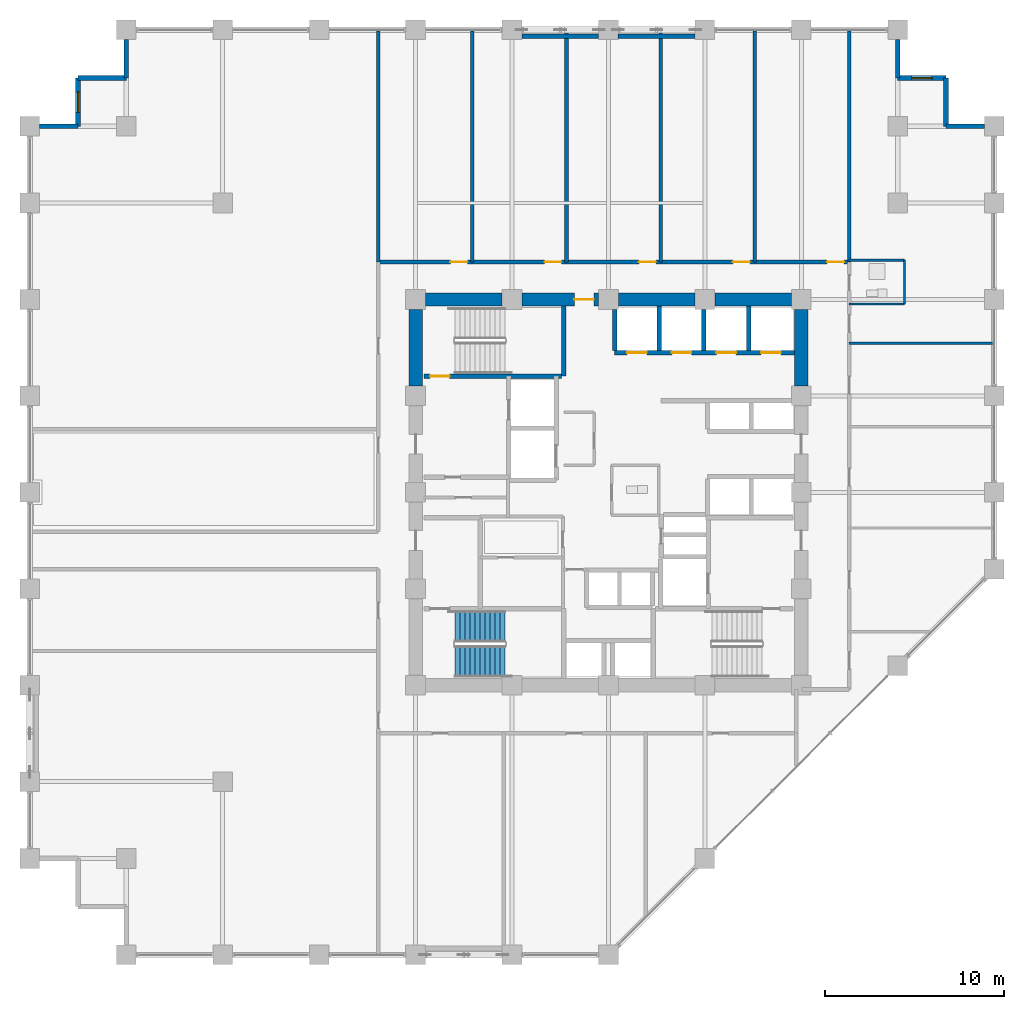
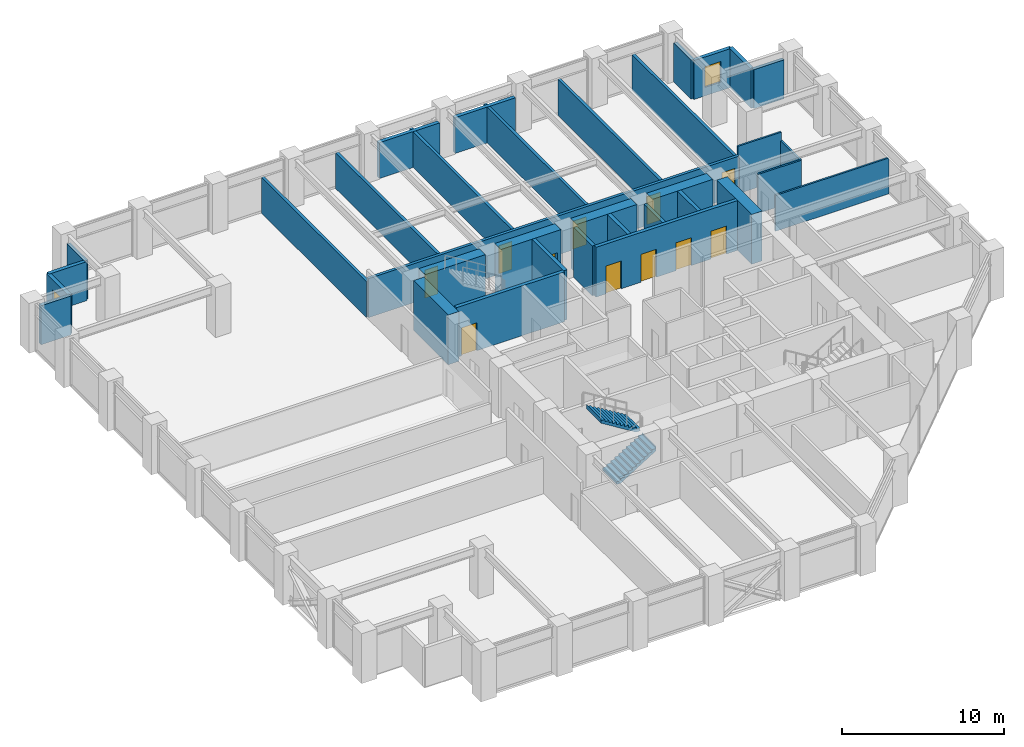
# One storey, part 21 of 25: 34 walls, 11 doors, 2 stair flights, 2 windows, 13 openings, 1 element without a shape of its own.
"""IFC4 building model written with IfcOpenShell, lengths in metres."""

from ifc_helpers import new_model, si_unit, direction, frame, frame_2d, origin, place, context, subcontext, project, spatial, polyline, rectangle, outline, extrude, material, layer, layer_set, type_object, element, fill, aggregate, save


model = new_model("IFC4")

# Units and contexts
model_context = context("Model", 3, precision=1e-05, world=origin(), true_north=direction((0.0, 1.0)))
body_context = subcontext(model_context, "Body", "Model", "MODEL_VIEW")
ifc_project = project(units=[si_unit("LENGTHUNIT", "METRE"), si_unit("AREAUNIT", "SQUARE_METRE"), si_unit("VOLUMEUNIT", "CUBIC_METRE"), si_unit("PLANEANGLEUNIT", "RADIAN"), si_unit("MASSUNIT", "GRAM", prefix="KILO")], contexts=[model_context])

# Site, building, storey
site_placement = place(None, origin())
site = spatial("IfcSite", under=ifc_project, at=site_placement, CompositionType="ELEMENT")
building_placement = place(site_placement, origin())
building = spatial("IfcBuilding", under=site, at=building_placement, Name="Surkhivell Harbour Commons", CompositionType="ELEMENT")
storey_placement = place(building_placement, frame((0.0, 0.0, 124.5)))
storey = spatial("IfcBuildingStorey", under=building, at=storey_placement, Name="L32", CompositionType="ELEMENT", Elevation=124.5)

# Wall
ifc_material_1 = material(Name="Concrete C60/75", Category="concrete")
ifc_layer_1 = layer(ifc_material_1, 0.75)
ifc_layer_set_1 = layer_set([ifc_layer_1], Name="Concrete C60/75")
wall_type_1 = type_object("IfcWallType", Name="WAL-CORE-750", PredefinedType="SHEAR", material=ifc_layer_set_1)
wall_1_placement = place(storey_placement, frame((-10.239990234375, 10.800048828125, 0.0), z_axis=(0.0, 0.0, 1.0), x_axis=(1.0, 0.0, 0.0)))
element("IfcWall", 1, at=wall_1_placement, inside=storey, type_object=wall_type_1, Name="L32 Core Shear Wall North 1", PredefinedType="SHEAR", context=body_context, shape_type="SweptSolid", body=[
    extrude(rectangle(XDim=4.280029296875, YDim=0.75, at=frame_2d((2.14013671875, 0.0))), origin(), (0.0, 0.0, 1.0), 3.75),
])

# Wall, opening, door
wall_2_placement = place(storey_placement, frame((-4.840087890625, 10.800048828125, 0.0), z_axis=(0.0, 0.0, 1.0), x_axis=(1.0, 0.0, 0.0)))
wall_2 = element("IfcWall", 2, at=wall_2_placement, inside=storey, type_object=wall_type_1, Name="L32 Core Shear Wall North 2", PredefinedType="SHEAR", context=body_context, shape_type="SweptSolid", body=[
    extrude(rectangle(XDim=4.280029296875, YDim=0.75, at=frame_2d((2.14013671875, 0.0))), origin(), (0.0, 0.0, 1.0), 3.75),
])
opening_1_placement = place(wall_2_placement, frame((2.929931640625, 0.0, 0.0)))
opening_1 = element("IfcOpeningElement", 3, at=opening_1_placement, cuts=wall_2, Name="Opening ID-2", PredefinedType="OPENING", context=body_context, shape_type="SweptSolid", body=[
    extrude(rectangle(XDim=1.10009765625, YDim=2.10009765625, at=frame_2d((0.550048828125, 1.050048828125))), frame((0.0, 0.385009765625, 0.0), z_axis=(0.0, -1.0, 0.0), x_axis=(1.0, 0.0, 0.0)), (0.0, 0.0, 1.0), 0.77001953125),
])
ifc_material_2 = material(Name="Hardwood-veneered fire-rated door leaf", Category="wood")
door_type_1 = type_object("IfcDoorType", Name="DOR-FD60-1100", OperationType="NOTDEFINED", PredefinedType="DOOR", material=ifc_material_2)
door_1_placement = place(opening_1_placement, origin())
door_1 = element("IfcDoor", 4, at=door_1_placement, inside=storey, type_object=door_type_1, Name="L32 Central Core Lift Hall North Corridor Door", OperationType="SINGLE_SWING_LEFT", OverallHeight=2.10009765625, OverallWidth=1.10009765625, PredefinedType="DOOR", context=body_context, shape_type="SweptSolid", body=[
    extrude(rectangle(XDim=1.10009765625, YDim=2.10009765625, at=frame_2d((0.550048828125, 1.050048828125))), frame((0.0, 0.02490234375, 0.0), z_axis=(0.0, -1.0, 0.0), x_axis=(1.0, 0.0, 0.0)), (0.0, 0.0, 1.0), 0.050048828125),
])
fill(opening_1, door_1)

# Walls
for number, where, z_axis, x_axis, name in (
    (5, (0.56005859375, 10.800048828125, 0.0), (0.0, 0.0, 1.0), (1.0, 0.0, 0.0), "L32 Core Shear Wall North 3"),
    (6, (5.9599609375, 10.800048828125, 0.0), (0.0, 0.0, 1.0), (1.0, 0.0, 0.0), "L32 Core Shear Wall North 4"),
    (7, (-10.800048828125, 5.9599609375, 0.0), (0.0, 0.0, 1.0), (0.0, 1.0, 0.0), "L32 Core Shear Wall West 4"),
    (8, (10.800048828125, 5.9599609375, 0.0), (0.0, 0.0, 1.0), (0.0, 1.0, 0.0), "L32 Core Shear Wall East 4"),
):
    element("IfcWall", number, at=place(storey_placement, frame(where, z_axis=z_axis, x_axis=x_axis)), inside=storey, type_object=wall_type_1, Name=name, PredefinedType="SHEAR", context=body_context, shape_type="SweptSolid", body=[
        extrude(rectangle(XDim=4.280029296875, YDim=0.75, at=frame_2d((2.14013671875, 0.0))), origin(), (0.0, 0.0, 1.0), 3.75),
    ])
ifc_material_3 = material(Name="Pale-metal insulated precast concrete C45/55", Category="concrete")
ifc_layer_2 = layer(ifc_material_3, 0.260009765625)
ifc_layer_set_2 = layer_set([ifc_layer_2], Name="Pale-metal insulated precast concrete C45/55")
wall_type_2 = type_object("IfcWallType", Name="WAL-EXT-MTL260", PredefinedType="STANDARD", material=ifc_layer_set_2)
wall_3_placement = place(storey_placement, frame((21.052001953125, 20.5, 0.0), z_axis=(0.0, 0.0, 1.0), x_axis=(-1.0, 0.0, 0.0)))
element("IfcWall", 9, at=wall_3_placement, inside=storey, type_object=wall_type_2, Name="L32 Serrated Corner Facade Wall 03", PredefinedType="STANDARD", context=body_context, shape_type="SweptSolid", body=[
    extrude(rectangle(XDim=2.152099609375, YDim=0.260009765625, at=frame_2d((1.076171875, 0.0))), origin(), (0.0, 0.0, 1.0), 2.93310546875),
])
wall_4_placement = place(storey_placement, frame((18.89990234375, 20.5, 0.0), z_axis=(0.0, 0.0, 1.0), x_axis=(0.0, 1.0, 0.0)))
element("IfcWall", 10, at=wall_4_placement, inside=storey, type_object=wall_type_2, Name="L32 Serrated Corner Facade Wall 04", PredefinedType="STANDARD", context=body_context, shape_type="SweptSolid", body=[
    extrude(rectangle(XDim=2.699951171875, YDim=0.260009765625, at=frame_2d((1.35009765625, 0.0))), origin(), (0.0, 0.0, 1.0), 2.93310546875),
])

# Wall, opening, window
wall_5_placement = place(storey_placement, frame((18.89990234375, 23.199951171875, 0.0), z_axis=(0.0, 0.0, 1.0), x_axis=(-1.0, 0.0, 0.0)))
wall_5 = element("IfcWall", 11, at=wall_5_placement, inside=storey, type_object=wall_type_2, Name="L32 Serrated Corner Facade Wall 05", PredefinedType="STANDARD", context=body_context, shape_type="SweptSolid", body=[
    extrude(rectangle(XDim=2.699951171875, YDim=0.260009765625, at=frame_2d((1.35009765625, 0.0))), origin(), (0.0, 0.0, 1.0), 2.93310546875),
])
opening_2_placement = place(wall_5_placement, frame((0.77490234375, 0.0, 0.64990234375)))
opening_2 = element("IfcOpeningElement", 12, at=opening_2_placement, cuts=wall_5, Name="Opening WN-10", PredefinedType="OPENING", context=body_context, shape_type="SweptSolid", body=[
    extrude(rectangle(XDim=1.14990234375, YDim=1.550048828125, at=frame_2d((0.574951171875, 0.77490234375))), frame((0.0, 0.139892578125, 0.0), z_axis=(0.0, -1.0, 0.0), x_axis=(1.0, 0.0, 0.0)), (0.0, 0.0, 1.0), 0.280029296875),
])
ifc_material_4 = material(Name="Thermal-break aluminium frame and double low-E glazing", Category="aluminium")
window_type = type_object("IfcWindowType", Name="WIN-SER-1150x1550", PartitioningType="SINGLE_PANEL", PredefinedType="WINDOW", material=ifc_material_4)
window_1_placement = place(opening_2_placement, origin())
window_1 = element("IfcWindow", 13, at=window_1_placement, inside=storey, type_object=window_type, Name="L32 Serrated Alcove Window 05", OverallHeight=1.550048828125, OverallWidth=1.14990234375, PartitioningType="SINGLE_PANEL", PredefinedType="WINDOW", context=body_context, shape_type="SweptSolid", body=[
    extrude(rectangle(XDim=1.14990234375, YDim=1.550048828125, at=frame_2d((0.574951171875, 0.77490234375))), frame((0.0, 0.030029296875, 0.0), z_axis=(0.0, -1.0, 0.0), x_axis=(1.0, 0.0, 0.0)), (0.0, 0.0, 1.0), 0.06005859375),
])
fill(opening_2, window_1)

# Walls
wall_6_placement = place(storey_placement, frame((16.199951171875, 23.199951171875, 0.0), z_axis=(0.0, 0.0, 1.0), x_axis=(0.0, 1.0, 0.0)))
element("IfcWall", 14, at=wall_6_placement, inside=storey, type_object=wall_type_2, Name="L32 Serrated Corner Facade Wall 06", PredefinedType="STANDARD", context=body_context, shape_type="SweptSolid", body=[
    extrude(rectangle(XDim=2.152099609375, YDim=0.260009765625, at=frame_2d((1.076171875, 0.0))), origin(), (0.0, 0.0, 1.0), 2.93310546875),
])
for number, where, z_axis, x_axis, name in (
    (15, (-0.548095703125, 25.5400390625, 0.0), (0.0, 0.0, 1.0), (-1.0, 0.0, 0.0), "L32 Braced-Bay Insulated Spandrel Backing N"),
    (16, (4.85205078125, 25.5400390625, 0.0), (0.0, 0.0, 1.0), (-1.0, 0.0, 0.0), "L32 Braced-Bay Insulated Spandrel Backing N2"),
):
    element("IfcWall", number, at=place(storey_placement, frame(where, z_axis=z_axis, x_axis=x_axis)), inside=storey, type_object=wall_type_2, Name=name, PredefinedType="STANDARD", context=body_context, shape_type="SweptSolid", body=[
        extrude(rectangle(XDim=4.303955078125, YDim=0.260009765625, at=frame_2d((2.15185546875, 0.0))), origin(), (0.0, 0.0, 1.0), 2.698974609375),
    ])
wall_7_placement = place(storey_placement, frame((-27.0, 25.35205078125, 0.0), z_axis=(0.0, 0.0, 1.0), x_axis=(0.0, -1.0, 0.0)))
element("IfcWall", 17, at=wall_7_placement, inside=storey, type_object=wall_type_2, Name="L32 Serrated Corner Facade Wall 08", PredefinedType="STANDARD", context=body_context, shape_type="SweptSolid", body=[
    extrude(rectangle(XDim=2.152099609375, YDim=0.260009765625, at=frame_2d((1.076171875, 0.0))), origin(), (0.0, 0.0, 1.0), 2.93310546875),
])
wall_8_placement = place(storey_placement, frame((-27.0, 23.199951171875, 0.0), z_axis=(0.0, 0.0, 1.0), x_axis=(-1.0, 0.0, 0.0)))
element("IfcWall", 18, at=wall_8_placement, inside=storey, type_object=wall_type_2, Name="L32 Serrated Corner Facade Wall 09", PredefinedType="STANDARD", context=body_context, shape_type="SweptSolid", body=[
    extrude(rectangle(XDim=2.699951171875, YDim=0.260009765625, at=frame_2d((1.35009765625, 0.0))), origin(), (0.0, 0.0, 1.0), 2.93310546875),
])

# Wall, opening, window
wall_9_placement = place(storey_placement, frame((-29.699951171875, 23.199951171875, 0.0), z_axis=(0.0, 0.0, 1.0), x_axis=(0.0, -1.0, 0.0)))
wall_9 = element("IfcWall", 19, at=wall_9_placement, inside=storey, type_object=wall_type_2, Name="L32 Serrated Corner Facade Wall 10", PredefinedType="STANDARD", context=body_context, shape_type="SweptSolid", body=[
    extrude(rectangle(XDim=2.699951171875, YDim=0.260009765625, at=frame_2d((1.35009765625, 0.0))), origin(), (0.0, 0.0, 1.0), 2.93310546875),
])
opening_3_placement = place(wall_9_placement, frame((0.77490234375, 0.0, 0.64990234375)))
opening_3 = element("IfcOpeningElement", 20, at=opening_3_placement, cuts=wall_9, Name="Opening WN-10", PredefinedType="OPENING", context=body_context, shape_type="SweptSolid", body=[
    extrude(rectangle(XDim=1.14990234375, YDim=1.550048828125, at=frame_2d((0.574951171875, 0.77490234375))), frame((0.0, 0.139892578125, 0.0), z_axis=(0.0, -1.0, 0.0), x_axis=(1.0, 0.0, 0.0)), (0.0, 0.0, 1.0), 0.280029296875),
])
window_2_placement = place(opening_3_placement, origin())
window_2 = element("IfcWindow", 21, at=window_2_placement, inside=storey, type_object=window_type, Name="L32 Serrated Alcove Window 10", OverallHeight=1.550048828125, OverallWidth=1.14990234375, PartitioningType="SINGLE_PANEL", PredefinedType="WINDOW", context=body_context, shape_type="SweptSolid", body=[
    extrude(rectangle(XDim=1.14990234375, YDim=1.550048828125, at=frame_2d((0.574951171875, 0.77490234375))), frame((0.0, 0.030029296875, 0.0), z_axis=(0.0, -1.0, 0.0), x_axis=(1.0, 0.0, 0.0)), (0.0, 0.0, 1.0), 0.06005859375),
])
fill(opening_3, window_2)

# Walls
wall_10_placement = place(storey_placement, frame((-29.699951171875, 20.5, 0.0), z_axis=(0.0, 0.0, 1.0), x_axis=(-1.0, 0.0, 0.0)))
element("IfcWall", 22, at=wall_10_placement, inside=storey, type_object=wall_type_2, Name="L32 Serrated Corner Facade Wall 11", PredefinedType="STANDARD", context=body_context, shape_type="SweptSolid", body=[
    extrude(rectangle(XDim=2.152099609375, YDim=0.260009765625, at=frame_2d((1.076171875, 0.0))), origin(), (0.0, 0.0, 1.0), 2.93310546875),
])
ifc_material_5 = material(Name="Moisture-resistant acoustic stud partition", Category="other")
ifc_layer_3 = layer(ifc_material_5, 0.125)
ifc_layer_set_3 = layer_set([ifc_layer_3], Name="Moisture-resistant acoustic stud partition")
wall_type_3 = type_object("IfcWallType", Name="WAL-INT-125", PredefinedType="PARTITIONING", material=ifc_layer_set_3)
wall_11_placement = place(storey_placement, frame((16.580078125, 10.550048828125, 0.0), z_axis=(0.0, 0.0, 1.0), x_axis=(0.0, 1.0, 0.0)))
element("IfcWall", 23, at=wall_11_placement, inside=storey, type_object=wall_type_3, Name="L32 East Partition BTHB", PredefinedType="PARTITIONING", context=body_context, shape_type="SweptSolid", body=[
    extrude(rectangle(XDim=2.449951171875, YDim=0.125, at=frame_2d((1.22509765625, 0.0))), origin(), (0.0, 0.0, 1.0), 2.93310546875),
])
wall_12_placement = place(storey_placement, frame((13.47998046875, 13.0, 0.0), z_axis=(0.0, 0.0, 1.0), x_axis=(1.0, 0.0, 0.0)))
element("IfcWall", 24, at=wall_12_placement, inside=storey, type_object=wall_type_3, Name="L32 East Partition BTHN", PredefinedType="PARTITIONING", context=body_context, shape_type="SweptSolid", body=[
    extrude(rectangle(XDim=3.10009765625, YDim=0.125, at=frame_2d((1.550048828125, 0.0))), origin(), (0.0, 0.0, 1.0), 3.570068359375),
])
wall_13_placement = place(storey_placement, frame((13.47998046875, 10.550048828125, 0.0), z_axis=(0.0, 0.0, 1.0), x_axis=(1.0, 0.0, 0.0)))
element("IfcWall", 25, at=wall_13_placement, inside=storey, type_object=wall_type_3, Name="L32 East Partition BTHS", PredefinedType="PARTITIONING", context=body_context, shape_type="SweptSolid", body=[
    extrude(rectangle(XDim=3.10009765625, YDim=0.125, at=frame_2d((1.550048828125, 0.0))), origin(), (0.0, 0.0, 1.0), 2.93310546875),
])
wall_14_placement = place(storey_placement, frame((13.47998046875, 8.35009765625, 0.0), z_axis=(0.0, 0.0, 1.0), x_axis=(1.0, 0.0, 0.0)))
element("IfcWall", 26, at=wall_14_placement, inside=storey, type_object=wall_type_3, Name="L32 East Partition PTOP", PredefinedType="PARTITIONING", context=body_context, shape_type="SweptSolid", body=[
    extrude(rectangle(XDim=8.06005859375, YDim=0.125, at=frame_2d((4.030029296875, 0.0))), origin(), (0.0, 0.0, 1.0), 2.698974609375),
])
ifc_material_6 = material(Name="Autoclaved aerated concrete blockwork and fire plaster", Category="masonry")
ifc_layer_4 = layer(ifc_material_6, 0.199951171875)
ifc_layer_set_4 = layer_set([ifc_layer_4], Name="Autoclaved aerated concrete blockwork and fire plaster")
wall_type_4 = type_object("IfcWallType", Name="WAL-INT-200", PredefinedType="PARTITIONING", material=ifc_layer_set_4)
for number, where, z_axis, x_axis, name in (
    (27, (13.47998046875, 12.89990234375, 0.0), (0.0, 0.0, 1.0), (0.0, 1.0, 0.0), "L32 North-East Wing Corner Divider"),
    (28, (-12.89990234375, 12.89990234375, 0.0), (0.0, 0.0, 1.0), (0.0, 1.0, 0.0), "L32 North-West Wing Corner Divider"),
):
    element("IfcWall", number, at=place(storey_placement, frame(where, z_axis=z_axis, x_axis=x_axis)), inside=storey, type_object=wall_type_4, Name=name, PredefinedType="PARTITIONING", context=body_context, shape_type="SweptSolid", body=[
        extrude(rectangle(XDim=12.940185546875, YDim=0.199951171875, at=frame_2d((6.47021484375, 0.0))), origin(), (0.0, 0.0, 1.0), 2.698974609375),
    ])

# Wall, openings, doors
wall_15_placement = place(storey_placement, frame((-12.89990234375, 12.89990234375, 0.0), z_axis=(0.0, 0.0, 1.0), x_axis=(1.0, 0.0, 0.0)))
wall_15 = element("IfcWall", 29, at=wall_15_placement, inside=storey, type_object=wall_type_4, Name="L32 Corridor North Wall", PredefinedType="PARTITIONING", context=body_context, shape_type="SweptSolid", body=[
    extrude(rectangle(XDim=26.3798828125, YDim=0.199951171875, at=frame_2d((13.18994140625, 0.0))), origin(), (0.0, 0.0, 1.0), 2.93310546875),
])
opening_4_placement = place(wall_15_placement, frame((4.050048828125, 0.0, 0.0)))
opening_4 = element("IfcOpeningElement", 30, at=opening_4_placement, cuts=wall_15, Name="Opening ID-4", PredefinedType="OPENING", context=body_context, shape_type="SweptSolid", body=[
    extrude(rectangle(XDim=0.949951171875, YDim=2.10009765625, at=frame_2d((0.47509765625, 1.050048828125))), frame((0.0, 0.10986328125, 0.0), z_axis=(0.0, -1.0, 0.0), x_axis=(1.0, 0.0, 0.0)), (0.0, 0.0, 1.0), 0.219970703125),
])
opening_5_placement = place(wall_15_placement, frame((9.320068359375, 0.0, 0.0)))
opening_5 = element("IfcOpeningElement", 31, at=opening_5_placement, cuts=wall_15, Name="Opening ID-4", PredefinedType="OPENING", context=body_context, shape_type="SweptSolid", body=[
    extrude(rectangle(XDim=0.949951171875, YDim=2.10009765625, at=frame_2d((0.47509765625, 1.050048828125))), frame((0.0, 0.10986328125, 0.0), z_axis=(0.0, -1.0, 0.0), x_axis=(1.0, 0.0, 0.0)), (0.0, 0.0, 1.0), 0.219970703125),
])
opening_6_placement = place(wall_15_placement, frame((14.60009765625, 0.0, 0.0)))
opening_6 = element("IfcOpeningElement", 32, at=opening_6_placement, cuts=wall_15, Name="Opening ID-4", PredefinedType="OPENING", context=body_context, shape_type="SweptSolid", body=[
    extrude(rectangle(XDim=0.949951171875, YDim=2.10009765625, at=frame_2d((0.47509765625, 1.050048828125))), frame((0.0, 0.10986328125, 0.0), z_axis=(0.0, -1.0, 0.0), x_axis=(1.0, 0.0, 0.0)), (0.0, 0.0, 1.0), 0.219970703125),
])
opening_7_placement = place(wall_15_placement, frame((19.8701171875, 0.0, 0.0)))
opening_7 = element("IfcOpeningElement", 33, at=opening_7_placement, cuts=wall_15, Name="Opening ID-4", PredefinedType="OPENING", context=body_context, shape_type="SweptSolid", body=[
    extrude(rectangle(XDim=0.949951171875, YDim=2.10009765625, at=frame_2d((0.47509765625, 1.050048828125))), frame((0.0, 0.10986328125, 0.0), z_axis=(0.0, -1.0, 0.0), x_axis=(1.0, 0.0, 0.0)), (0.0, 0.0, 1.0), 0.219970703125),
])
opening_8_placement = place(wall_15_placement, frame((25.14990234375, 0.0, 0.0)))
opening_8 = element("IfcOpeningElement", 34, at=opening_8_placement, cuts=wall_15, Name="Opening ID-4", PredefinedType="OPENING", context=body_context, shape_type="SweptSolid", body=[
    extrude(rectangle(XDim=0.949951171875, YDim=2.10009765625, at=frame_2d((0.47509765625, 1.050048828125))), frame((0.0, 0.10986328125, 0.0), z_axis=(0.0, -1.0, 0.0), x_axis=(1.0, 0.0, 0.0)), (0.0, 0.0, 1.0), 0.219970703125),
])
door_type_2 = type_object("IfcDoorType", Name="DOR-FD60-950", OperationType="NOTDEFINED", PredefinedType="DOOR", material=ifc_material_2)
door_2_placement = place(opening_4_placement, origin())
door_2 = element("IfcDoor", 35, at=door_2_placement, inside=storey, type_object=door_type_2, Name="L32 Co-Working Study Office Pod 1 North Door", OperationType="SINGLE_SWING_RIGHT", OverallHeight=2.10009765625, OverallWidth=0.949951171875, PredefinedType="DOOR", context=body_context, shape_type="SweptSolid", body=[
    extrude(rectangle(XDim=0.949951171875, YDim=2.10009765625, at=frame_2d((0.47509765625, 1.050048828125))), frame((0.0, 0.02490234375, 0.0), z_axis=(0.0, -1.0, 0.0), x_axis=(1.0, 0.0, 0.0)), (0.0, 0.0, 1.0), 0.050048828125),
])
fill(opening_4, door_2)
door_3_placement = place(opening_5_placement, origin())
door_3 = element("IfcDoor", 36, at=door_3_placement, inside=storey, type_object=door_type_2, Name="L32 Academic Seminar Pod 2 North Door", OperationType="SINGLE_SWING_LEFT", OverallHeight=2.10009765625, OverallWidth=0.949951171875, PredefinedType="DOOR", context=body_context, shape_type="SweptSolid", body=[
    extrude(rectangle(XDim=0.949951171875, YDim=2.10009765625, at=frame_2d((0.47509765625, 1.050048828125))), frame((0.0, 0.02490234375, 0.0), z_axis=(0.0, -1.0, 0.0), x_axis=(1.0, 0.0, 0.0)), (0.0, 0.0, 1.0), 0.050048828125),
])
fill(opening_5, door_3)
door_4_placement = place(opening_6_placement, origin())
door_4 = element("IfcDoor", 37, at=door_4_placement, inside=storey, type_object=door_type_2, Name="L32 Harbour Espresso Cafe Shop 3 North Door", OperationType="SINGLE_SWING_RIGHT", OverallHeight=2.10009765625, OverallWidth=0.949951171875, PredefinedType="DOOR", context=body_context, shape_type="SweptSolid", body=[
    extrude(rectangle(XDim=0.949951171875, YDim=2.10009765625, at=frame_2d((0.47509765625, 1.050048828125))), frame((0.0, 0.02490234375, 0.0), z_axis=(0.0, -1.0, 0.0), x_axis=(1.0, 0.0, 0.0)), (0.0, 0.0, 1.0), 0.050048828125),
])
fill(opening_6, door_4)
door_5_placement = place(opening_7_placement, origin())
door_5 = element("IfcDoor", 38, at=door_5_placement, inside=storey, type_object=door_type_2, Name="L32 Zone Concierge Reception Foyer 4 North Door", OperationType="SINGLE_SWING_LEFT", OverallHeight=2.10009765625, OverallWidth=0.949951171875, PredefinedType="DOOR", context=body_context, shape_type="SweptSolid", body=[
    extrude(rectangle(XDim=0.949951171875, YDim=2.10009765625, at=frame_2d((0.47509765625, 1.050048828125))), frame((0.0, 0.02490234375, 0.0), z_axis=(0.0, -1.0, 0.0), x_axis=(1.0, 0.0, 0.0)), (0.0, 0.0, 1.0), 0.050048828125),
])
fill(opening_7, door_5)
door_6_placement = place(opening_8_placement, origin())
door_6 = element("IfcDoor", 39, at=door_6_placement, inside=storey, type_object=door_type_2, Name="L32 Shared Communal Kitchen 5 North Door", OperationType="SINGLE_SWING_RIGHT", OverallHeight=2.10009765625, OverallWidth=0.949951171875, PredefinedType="DOOR", context=body_context, shape_type="SweptSolid", body=[
    extrude(rectangle(XDim=0.949951171875, YDim=2.10009765625, at=frame_2d((0.47509765625, 1.050048828125))), frame((0.0, 0.02490234375, 0.0), z_axis=(0.0, -1.0, 0.0), x_axis=(1.0, 0.0, 0.0)), (0.0, 0.0, 1.0), 0.050048828125),
])
fill(opening_8, door_6)

# Walls
for number, where, z_axis, x_axis, name in (
    (40, (-7.6201171875, 12.89990234375, 0.0), (0.0, 0.0, 1.0), (0.0, 1.0, 0.0), "L32 North Partition P1"),
    (41, (-2.35009765625, 12.89990234375, 0.0), (0.0, 0.0, 1.0), (0.0, 1.0, 0.0), "L32 North Partition P2"),
    (42, (2.929931640625, 12.89990234375, 0.0), (0.0, 0.0, 1.0), (0.0, 1.0, 0.0), "L32 North Partition P3"),
    (43, (8.199951171875, 12.89990234375, 0.0), (0.0, 0.0, 1.0), (0.0, 1.0, 0.0), "L32 North Partition P4"),
):
    element("IfcWall", number, at=place(storey_placement, frame(where, z_axis=z_axis, x_axis=x_axis)), inside=storey, type_object=wall_type_4, Name=name, PredefinedType="PARTITIONING", context=body_context, shape_type="SweptSolid", body=[
        extrude(rectangle(XDim=12.940185546875, YDim=0.199951171875, at=frame_2d((6.47021484375, 0.0))), origin(), (0.0, 0.0, 1.0), 2.698974609375),
    ])
ifc_material_7 = material(Name="Concrete C50/60", Category="concrete")
ifc_layer_5 = layer(ifc_material_7, 0.25)
ifc_layer_set_5 = layer_set([ifc_layer_5], Name="Concrete C50/60")
wall_type_5 = type_object("IfcWallType", Name="WAL-SHAFT-250", PredefinedType="SHEAR", material=ifc_layer_set_5)
wall_16_placement = place(storey_placement, frame((2.85009765625, 7.93994140625, 0.0), z_axis=(0.0, 0.0, 1.0), x_axis=(0.0, 1.0, 0.0)))
element("IfcWall", 44, at=wall_16_placement, inside=storey, type_object=wall_type_5, Name="L32 Low-Rise Hoistway Wall", PredefinedType="SHEAR", context=body_context, shape_type="SweptSolid", body=[
    extrude(rectangle(XDim=2.485107421875, YDim=0.25, at=frame_2d((1.24267578125, 0.0))), origin(), (0.0, 0.0, 1.0), 3.75),
])
for number, where, z_axis, x_axis, name in (
    (45, (0.35009765625, 7.93994140625, 0.0), (0.0, 0.0, 1.0), (0.0, 1.0, 0.0), "L32 Low-Rise Hoistway Wall"),
    (46, (5.35009765625, 7.93994140625, 0.0), (0.0, 0.0, 1.0), (0.0, 1.0, 0.0), "L32 Low-Rise Hoistway Wall"),
):
    element("IfcWall", number, at=place(storey_placement, frame(where, z_axis=z_axis, x_axis=x_axis)), inside=storey, type_object=wall_type_5, Name=name, PredefinedType="SHEAR", context=body_context, shape_type="SweptSolid", body=[
        extrude(rectangle(XDim=2.31005859375, YDim=0.25, at=frame_2d((1.155029296875, 0.0))), origin(), (0.0, 0.0, 1.0), 3.75),
    ])
wall_17_placement = place(storey_placement, frame((7.85009765625, 7.93994140625, 0.0), z_axis=(0.0, 0.0, 1.0), x_axis=(0.0, 1.0, 0.0)))
element("IfcWall", 47, at=wall_17_placement, inside=storey, type_object=wall_type_5, Name="L32 Low-Rise Hoistway Wall", PredefinedType="SHEAR", context=body_context, shape_type="SweptSolid", body=[
    extrude(rectangle(XDim=2.485107421875, YDim=0.25, at=frame_2d((1.24267578125, 0.0))), origin(), (0.0, 0.0, 1.0), 3.75),
])

# Wall, openings, doors
wall_18_placement = place(storey_placement, frame((0.35009765625, 7.820068359375, 0.0), z_axis=(0.0, 0.0, 1.0), x_axis=(1.0, 0.0, 0.0)))
wall_18 = element("IfcWall", 48, at=wall_18_placement, inside=storey, type_object=wall_type_5, Name="L32 Low-Rise Lift Front Shaft Wall", PredefinedType="SHEAR", context=body_context, shape_type="SweptSolid", body=[
    extrude(rectangle(XDim=10.074951171875, YDim=0.25, at=frame_2d((5.03759765625, 0.0))), origin(), (0.0, 0.0, 1.0), 3.75),
])
opening_9_placement = place(wall_18_placement, frame((0.699951171875, 0.0, 0.0)))
opening_9 = element("IfcOpeningElement", 49, at=opening_9_placement, cuts=wall_18, Name="Opening LD-1", PredefinedType="OPENING", context=body_context, shape_type="SweptSolid", body=[
    extrude(rectangle(XDim=1.10009765625, YDim=2.10009765625, at=frame_2d((0.550048828125, 1.050048828125))), frame((0.0, 0.135009765625, 0.0), z_axis=(0.0, -1.0, 0.0), x_axis=(1.0, 0.0, 0.0)), (0.0, 0.0, 1.0), 0.27001953125),
])
opening_10_placement = place(wall_18_placement, frame((3.199951171875, 0.0, 0.0)))
opening_10 = element("IfcOpeningElement", 50, at=opening_10_placement, cuts=wall_18, Name="Opening LD-1", PredefinedType="OPENING", context=body_context, shape_type="SweptSolid", body=[
    extrude(rectangle(XDim=1.10009765625, YDim=2.10009765625, at=frame_2d((0.550048828125, 1.050048828125))), frame((0.0, 0.135009765625, 0.0), z_axis=(0.0, -1.0, 0.0), x_axis=(1.0, 0.0, 0.0)), (0.0, 0.0, 1.0), 0.27001953125),
])
opening_11_placement = place(wall_18_placement, frame((5.699951171875, 0.0, 0.0)))
opening_11 = element("IfcOpeningElement", 51, at=opening_11_placement, cuts=wall_18, Name="Opening LD-1", PredefinedType="OPENING", context=body_context, shape_type="SweptSolid", body=[
    extrude(rectangle(XDim=1.10009765625, YDim=2.10009765625, at=frame_2d((0.550048828125, 1.050048828125))), frame((0.0, 0.135009765625, 0.0), z_axis=(0.0, -1.0, 0.0), x_axis=(1.0, 0.0, 0.0)), (0.0, 0.0, 1.0), 0.27001953125),
])
opening_12_placement = place(wall_18_placement, frame((8.199951171875, 0.0, 0.0)))
opening_12 = element("IfcOpeningElement", 52, at=opening_12_placement, cuts=wall_18, Name="Opening LD-1", PredefinedType="OPENING", context=body_context, shape_type="SweptSolid", body=[
    extrude(rectangle(XDim=1.10009765625, YDim=2.10009765625, at=frame_2d((0.550048828125, 1.050048828125))), frame((0.0, 0.135009765625, 0.0), z_axis=(0.0, -1.0, 0.0), x_axis=(1.0, 0.0, 0.0)), (0.0, 0.0, 1.0), 0.27001953125),
])
ifc_material_8 = material(Name="Brushed stainless steel S355", Category="steel")
door_type_3 = type_object("IfcDoorType", Name="DOR-LD-1100", OperationType="SLIDING_TO_LEFT", PredefinedType="DOOR", material=ifc_material_8)
door_7_placement = place(opening_9_placement, origin())
door_7 = element("IfcDoor", 53, at=door_7_placement, inside=storey, type_object=door_type_3, Name="L32 Lift Landing Door LD-PL1", OperationType="SLIDING_TO_LEFT", OverallHeight=2.10009765625, OverallWidth=1.10009765625, PredefinedType="DOOR", context=body_context, shape_type="SweptSolid", body=[
    extrude(rectangle(XDim=1.10009765625, YDim=2.10009765625, at=frame_2d((0.550048828125, 1.050048828125))), frame((0.0, 0.02490234375, 0.0), z_axis=(0.0, -1.0, 0.0), x_axis=(1.0, 0.0, 0.0)), (0.0, 0.0, 1.0), 0.050048828125),
])
fill(opening_9, door_7)
door_8_placement = place(opening_10_placement, origin())
door_8 = element("IfcDoor", 54, at=door_8_placement, inside=storey, type_object=door_type_3, Name="L32 Lift Landing Door LD-PL2", OperationType="SLIDING_TO_LEFT", OverallHeight=2.10009765625, OverallWidth=1.10009765625, PredefinedType="DOOR", context=body_context, shape_type="SweptSolid", body=[
    extrude(rectangle(XDim=1.10009765625, YDim=2.10009765625, at=frame_2d((0.550048828125, 1.050048828125))), frame((0.0, 0.02490234375, 0.0), z_axis=(0.0, -1.0, 0.0), x_axis=(1.0, 0.0, 0.0)), (0.0, 0.0, 1.0), 0.050048828125),
])
fill(opening_10, door_8)
door_9_placement = place(opening_11_placement, origin())
door_9 = element("IfcDoor", 55, at=door_9_placement, inside=storey, type_object=door_type_3, Name="L32 Lift Landing Door LD-PL3", OperationType="SLIDING_TO_LEFT", OverallHeight=2.10009765625, OverallWidth=1.10009765625, PredefinedType="DOOR", context=body_context, shape_type="SweptSolid", body=[
    extrude(rectangle(XDim=1.10009765625, YDim=2.10009765625, at=frame_2d((0.550048828125, 1.050048828125))), frame((0.0, 0.02490234375, 0.0), z_axis=(0.0, -1.0, 0.0), x_axis=(1.0, 0.0, 0.0)), (0.0, 0.0, 1.0), 0.050048828125),
])
fill(opening_11, door_9)
door_10_placement = place(opening_12_placement, origin())
door_10 = element("IfcDoor", 56, at=door_10_placement, inside=storey, type_object=door_type_3, Name="L32 Lift Landing Door LD-PL4", OperationType="SLIDING_TO_LEFT", OverallHeight=2.10009765625, OverallWidth=1.10009765625, PredefinedType="DOOR", context=body_context, shape_type="SweptSolid", body=[
    extrude(rectangle(XDim=1.10009765625, YDim=2.10009765625, at=frame_2d((0.550048828125, 1.050048828125))), frame((0.0, 0.02490234375, 0.0), z_axis=(0.0, -1.0, 0.0), x_axis=(1.0, 0.0, 0.0)), (0.0, 0.0, 1.0), 0.050048828125),
])
fill(opening_12, door_10)

# Wall
wall_19_placement = place(storey_placement, frame((-2.510009765625, 6.510009765625, 0.0), z_axis=(0.0, 0.0, 1.0), x_axis=(0.0, 1.0, 0.0)))
element("IfcWall", 57, at=wall_19_placement, inside=storey, type_object=wall_type_5, Name="L32 Stair ST1 East Shear Wall", PredefinedType="SHEAR", context=body_context, shape_type="SweptSolid", body=[
    extrude(rectangle(XDim=3.9150390625, YDim=0.25, at=frame_2d((1.95751953125, 0.0))), origin(), (0.0, 0.0, 1.0), 3.75),
])

# Wall, opening, door
wall_20_placement = place(storey_placement, frame((-10.340087890625, 6.510009765625, 0.0), z_axis=(0.0, 0.0, 1.0), x_axis=(1.0, 0.0, 0.0)))
wall_20 = element("IfcWall", 58, at=wall_20_placement, inside=storey, type_object=wall_type_5, Name="L32 Stair ST1 South Shear Wall", PredefinedType="SHEAR", context=body_context, shape_type="SweptSolid", body=[
    extrude(rectangle(XDim=7.7001953125, YDim=0.25, at=frame_2d((3.85009765625, 0.0))), origin(), (0.0, 0.0, 1.0), 3.75),
])
opening_13_placement = place(wall_20_placement, frame((0.35009765625, 0.0, 0.0)))
opening_13 = element("IfcOpeningElement", 59, at=opening_13_placement, cuts=wall_20, Name="Opening ID-2", PredefinedType="OPENING", context=body_context, shape_type="SweptSolid", body=[
    extrude(rectangle(XDim=1.10009765625, YDim=2.10009765625, at=frame_2d((0.550048828125, 1.050048828125))), frame((0.0, 0.135009765625, 0.0), z_axis=(0.0, -1.0, 0.0), x_axis=(1.0, 0.0, 0.0)), (0.0, 0.0, 1.0), 0.27001953125),
])
door_11_placement = place(opening_13_placement, origin())
door_11 = element("IfcDoor", 60, at=door_11_placement, inside=storey, type_object=door_type_1, Name="L32 Stair ST1 Exit Door", OperationType="SINGLE_SWING_LEFT", OverallHeight=2.10009765625, OverallWidth=1.10009765625, PredefinedType="DOOR", context=body_context, shape_type="SweptSolid", body=[
    extrude(rectangle(XDim=1.10009765625, YDim=2.10009765625, at=frame_2d((0.550048828125, 1.050048828125))), frame((0.0, 0.02490234375, 0.0), z_axis=(0.0, -1.0, 0.0), x_axis=(1.0, 0.0, 0.0)), (0.0, 0.0, 1.0), 0.050048828125),
])
fill(opening_13, door_11)

# Stair, stair flights
ifc_material_9 = material(Name="Precast concrete C45/55", Category="concrete")
stair_type = type_object("IfcStairType", Name="STR-DL-375", PredefinedType="HALF_TURN_STAIR", material=ifc_material_9)
stair_placement = place(storey_placement, origin())
stair = element("IfcStair", 61, at=stair_placement, inside=storey, type_object=stair_type, Name="L32 Core Exit Stair ST3", PredefinedType="HALF_TURN_STAIR")
stair_flight_type = type_object("IfcStairFlightType", Name="STF-DL-375", PredefinedType="STRAIGHT", material=ifc_material_9)
stair_flight_1_placement = place(storey_placement, frame((-8.590087890625, -9.465087890625, 0.0), z_axis=(0.0, 0.0, 1.0), x_axis=(1.0, 0.0, 0.0)))
stair_flight_1 = element("IfcStairFlight", 62, at=stair_flight_1_placement, type_object=stair_flight_type, Name="ST3 flight 1", NumberOfRisers=11, NumberOfTreads=10, PredefinedType="STRAIGHT", RiserHeight=0.170454545, TreadLength=0.28, context=body_context, shape_type="SweptSolid", body=[
    extrude(outline(polyline([(-0.0029296875, -0.034912109375), (-0.0029296875, 0.0), (0.0, 0.0), (0.0, 0.17041015625), (0.280029296875, 0.17041015625), (0.280029296875, 0.3408203125), (0.56005859375, 0.3408203125), (0.56005859375, 0.511474609375), (0.840087890625, 0.511474609375), (0.840087890625, 0.681884765625), (1.1201171875, 0.681884765625), (1.1201171875, 0.852294921875), (1.39990234375, 0.852294921875), (1.39990234375, 1.022705078125), (1.679931640625, 1.022705078125), (1.679931640625, 1.193115234375), (1.9599609375, 1.193115234375), (1.9599609375, 1.363525390625), (2.239990234375, 1.363525390625), (2.239990234375, 1.5341796875), (2.52001953125, 1.5341796875), (2.52001953125, 1.70458984375), (2.800048828125, 1.70458984375), (2.800048828125, 1.875), (2.802978515625, 1.875), (2.802978515625, 1.529052734375), (0.288330078125, -0.034912109375), (-0.0029296875, -0.034912109375)])), frame((0.0, 0.875, 0.0), z_axis=(0.0, -1.0, 0.0), x_axis=(1.0, 0.0, 0.0)), (0.0, 0.0, 1.0), 1.75),
])
stair_flight_2_placement = place(storey_placement, frame((-5.7900390625, -7.514892578125, 1.875), z_axis=(0.0, 0.0, 1.0), x_axis=(-1.0, 0.0, 0.0)))
stair_flight_2 = element("IfcStairFlight", 63, at=stair_flight_2_placement, type_object=stair_flight_type, Name="ST3 flight 2", NumberOfRisers=11, NumberOfTreads=10, PredefinedType="STRAIGHT", RiserHeight=0.170454545, TreadLength=0.28, context=body_context, shape_type="SweptSolid", body=[
    extrude(outline(polyline([(-0.0029296875, -0.034912109375), (-0.0029296875, 0.0), (0.0, 0.0), (0.0, 0.17041015625), (0.280029296875, 0.17041015625), (0.280029296875, 0.3408203125), (0.56005859375, 0.3408203125), (0.56005859375, 0.511474609375), (0.840087890625, 0.511474609375), (0.840087890625, 0.681884765625), (1.1201171875, 0.681884765625), (1.1201171875, 0.852294921875), (1.39990234375, 0.852294921875), (1.39990234375, 1.022705078125), (1.679931640625, 1.022705078125), (1.679931640625, 1.193115234375), (1.9599609375, 1.193115234375), (1.9599609375, 1.363525390625), (2.239990234375, 1.363525390625), (2.239990234375, 1.5341796875), (2.52001953125, 1.5341796875), (2.52001953125, 1.70458984375), (2.800048828125, 1.70458984375), (2.800048828125, 1.875), (2.802978515625, 1.875), (2.802978515625, 1.529052734375), (0.288330078125, -0.034912109375), (-0.0029296875, -0.034912109375)])), frame((0.0, 0.875, 0.0), z_axis=(0.0, -1.0, 0.0), x_axis=(1.0, 0.0, 0.0)), (0.0, 0.0, 1.0), 1.75),
])
aggregate(stair, [stair_flight_1, stair_flight_2])

save(model, "model.ifc")
